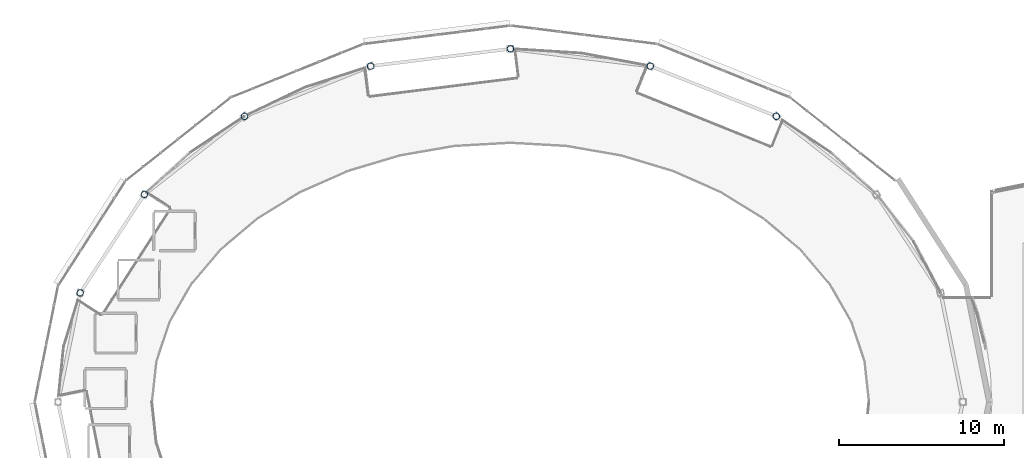
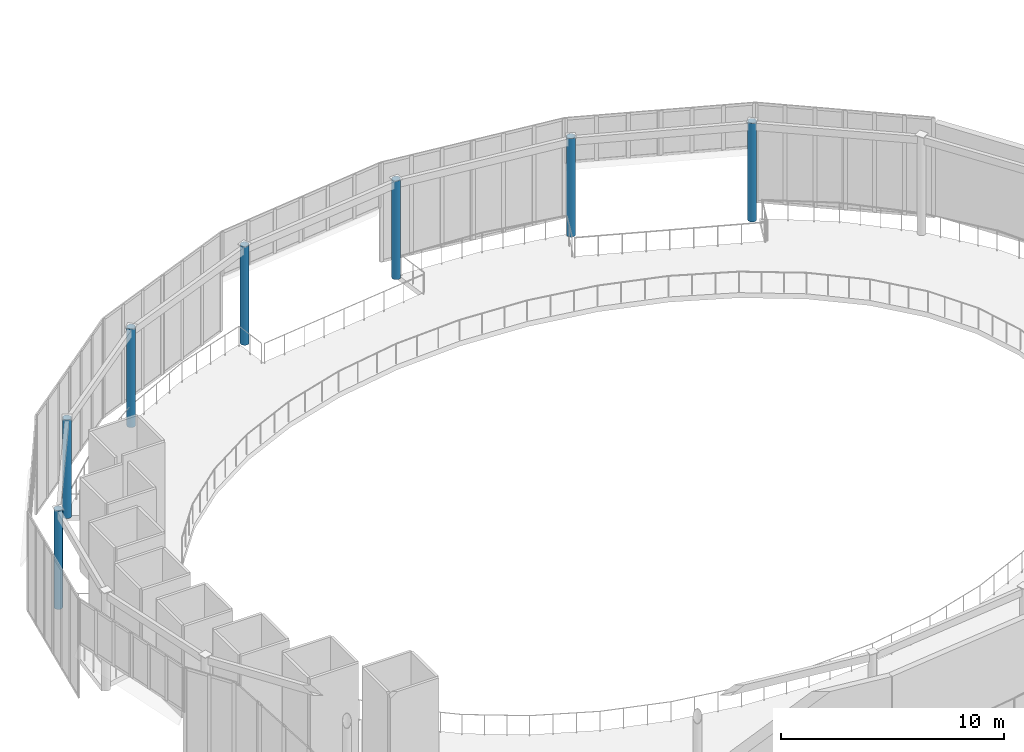
# One storey, part 9 of 98: 7 columns.
"""IFC4 building model written with IfcOpenShell, lengths in metres."""

from ifc_helpers import new_model, si_unit, direction, frame, origin, origin_2d, place, context, subcontext, project, spatial, hollow_circle, extrude, material, material_profile, profile_set, type_object, element, save


model = new_model("IFC4")

# Units and contexts
model_context = context("Model", 3, precision=1e-05, world=origin(), true_north=direction((0.0, 1.0)))
body_context = subcontext(model_context, "Body", "Model", "MODEL_VIEW")
ifc_project = project(units=[si_unit("LENGTHUNIT", "METRE"), si_unit("AREAUNIT", "SQUARE_METRE"), si_unit("VOLUMEUNIT", "CUBIC_METRE"), si_unit("PLANEANGLEUNIT", "RADIAN"), si_unit("MASSUNIT", "GRAM", prefix="KILO")], contexts=[model_context])

# Site, building, storey
site_placement = place(None, origin())
site = spatial("IfcSite", under=ifc_project, at=site_placement, CompositionType="ELEMENT")
building_placement = place(site_placement, origin())
building = spatial("IfcBuilding", under=site, at=building_placement, Name="Sollismere Congress Hotel", CompositionType="ELEMENT")
storey_placement = place(building_placement, frame((0.0, 0.0, 5.39990234375)))
storey = spatial("IfcBuildingStorey", under=building, at=storey_placement, Name="L01", CompositionType="ELEMENT", Elevation=5.39990234375)

# Columns
ifc_material = material(Name="Steel ASTM A500 Grade C", Category="steel")
ifc_material_profile = material_profile(ifc_material, hollow_circle(Radius=0.202880859375, WallThickness=0.01611328125, at=origin_2d()), Name="CHS406X16")
ifc_profile_set = profile_set([ifc_material_profile], Name="Steel ASTM A500 Grade C")
column_type = type_object("IfcColumnType", Name="COL-CHS406I", PredefinedType="COLUMN", material=ifc_profile_set)
for number, where, z_axis, x_axis, name in (
    (1, (45.075927734375, 107.672607421875, 0.0), (0.0, 0.0, 1.0), (0.681359873953, 0.731948578909, 0.0), "Column CL-L01-1161"),
    (2, (37.45166015625, 110.705078125, 0.0), (0.0, 0.0, 1.0), (0.38429532266, 0.923210217113, 0.0), "Column CL-L01-1165"),
    (3, (29.0, 111.75, 0.0), (0.0, 0.0, 1.0), (0.0, 1.0, 0.0), "Column CL-L01-1169"),
    (4, (20.54833984375, 110.705078125, 0.0), (0.0, 0.0, 1.0), (-0.38429532266, 0.923210217113, 0.0), "Column CL-L01-1173"),
    (5, (12.924072265625, 107.672607421875, 0.0), (0.0, 0.0, 1.0), (-0.681359873953, 0.731948578909, 0.0), "Column CL-L01-1177"),
    (6, (6.873291015625, 102.94921875, 0.0), (0.0, 0.0, 1.0), (-0.869839554062, 0.493334724289, 0.0), "Column CL-L01-1181"),
    (7, (2.988525390625, 96.99755859375, 0.0), (0.0, 0.0, 1.0), (-0.969316774365, 0.245814952628, 0.0), "Column CL-L01-1185"),
):
    element("IfcColumn", number, at=place(storey_placement, frame(where, z_axis=z_axis, x_axis=x_axis)), inside=storey, type_object=column_type, Name=name, PredefinedType="COLUMN", context=body_context, shape_type="SweptSolid", body=[
        extrude(hollow_circle(Radius=0.202880859375, WallThickness=0.01611328125, at=origin_2d()), origin(), (0.0, 0.0, 1.0), 5.400146484375),
    ])

save(model, "model.ifc")
